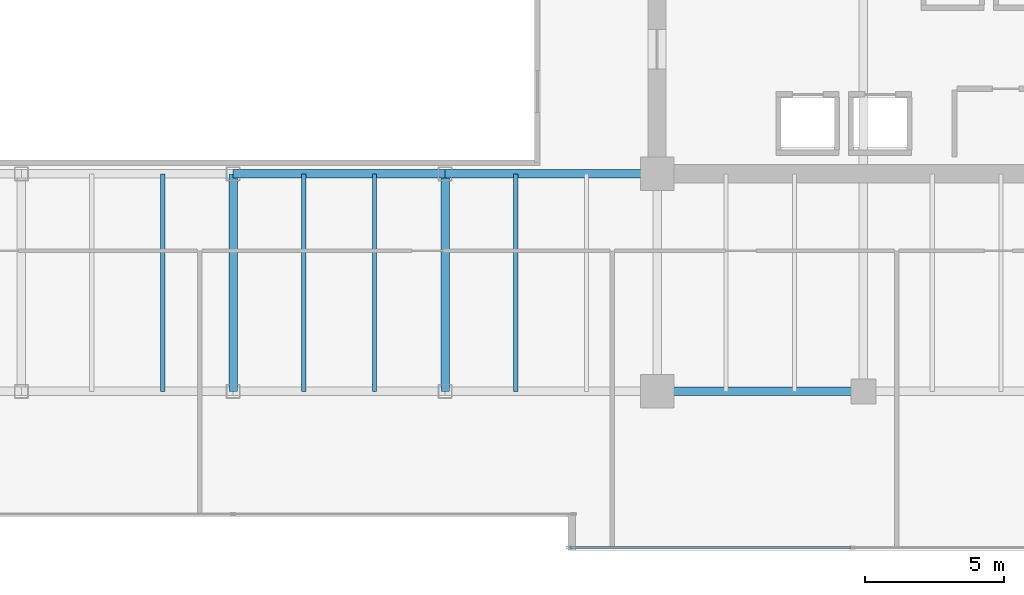
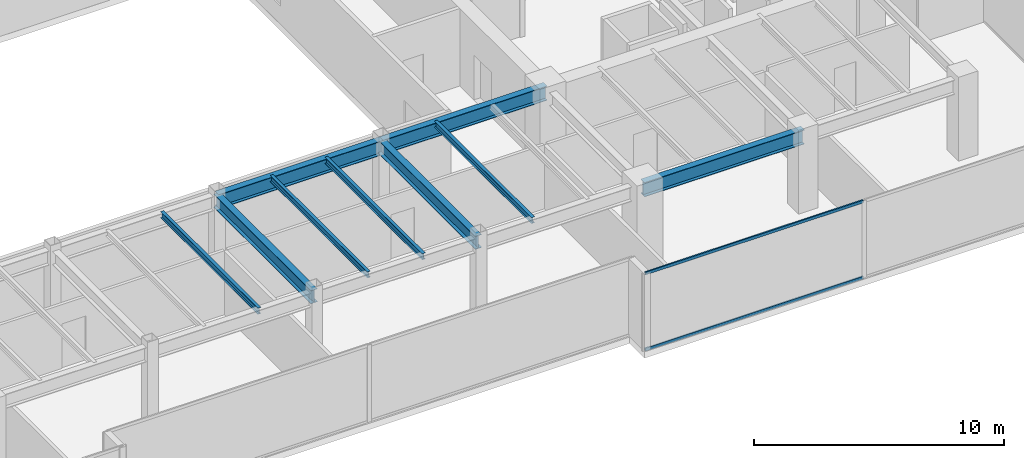
# One storey, part 11 of 30: 9 beams, 2 members, 1 element without a shape of its own.
"""IFC4 building model written with IfcOpenShell, lengths in metres."""

import ifcopenshell
import ifcopenshell.guid

model = None  # the IFC model being written
_history = None  # IfcOwnerHistory: only IFC2X3 demands one
_inside = {}  # id of a spatial element -> (the spatial element, [elements in it])
_under = {}  # id of a project, library or spatial element -> (it, [spatial elements below it])
_declared = {}  # id of a project -> (the project, [libraries it declares])
_typed = {}  # id of a type object -> (the type object, [elements of that type])
_made_of = {}  # id of a material, layer set ... -> (it, [elements and type objects made of it])


def new_model(schema):
    """Start an empty IFC model of exactly this schema.

    Asked for "IFC4X3", IfcOpenShell would pick the latest addendum, in which some entities
    have other attributes; the version numbers below select the first issue.
    IFC2X3 requires an IfcOwnerHistory on every rooted entity: one is made here for all.
    """
    global model, _history
    if schema == "IFC4X3":
        model = ifcopenshell.file(schema_version=(4, 3, 0, 0))
    else:
        model = ifcopenshell.file(schema=schema)
    _inside.clear()
    _under.clear()
    _declared.clear()
    _typed.clear()
    _made_of.clear()
    _history = None
    if model.schema == "IFC2X3":
        org = make("IfcOrganization", Name="unknown")
        user = make(
            "IfcPersonAndOrganization",
            ThePerson=make("IfcPerson", FamilyName="unknown"),
            TheOrganization=org,
        )
        app = make(
            "IfcApplication",
            ApplicationDeveloper=org,
            Version="unknown",
            ApplicationFullName="unknown",
            ApplicationIdentifier="unknown",
        )
        _history = make(
            "IfcOwnerHistory",
            OwningUser=user,
            OwningApplication=app,
            ChangeAction="ADDED",
            CreationDate=0,
        )
    return model


def make(cls, **values):
    """One entity of the class cls with the attributes given. An attribute that is None is left unset."""
    return model.create_entity(
        cls, **{name: value for name, value in values.items() if value is not None}
    )


def rooted(cls, **values):
    """An entity with a GlobalId (a new one), such as an element, a storey or a relation."""
    return make(cls, GlobalId=ifcopenshell.guid.new(), OwnerHistory=_history, **values)


def si_unit(unit_type, name, prefix=None):
    """IfcSIUnit, for example si_unit("LENGTHUNIT", "METRE", prefix="MILLI")."""
    return make("IfcSIUnit", UnitType=unit_type, Prefix=prefix, Name=name)


def assignment(units):
    """IfcUnitAssignment: the units of a project."""
    return None if units is None else make("IfcUnitAssignment", Units=units)


def point(xyz):
    """IfcCartesianPoint."""
    return None if xyz is None else make("IfcCartesianPoint", Coordinates=xyz)


def direction(xyz):
    """IfcDirection."""
    return None if xyz is None else make("IfcDirection", DirectionRatios=xyz)


def frame(location, z_axis=None, x_axis=None):
    """IfcAxis2Placement3D, a coordinate frame: its origin and axes. An axis left out is left unset."""
    return make(
        "IfcAxis2Placement3D",
        Location=point(location),
        Axis=direction(z_axis),
        RefDirection=direction(x_axis),
    )


def frame_2d(location, x_axis=None):
    """IfcAxis2Placement2D, a coordinate frame in the plane: its origin and x axis."""
    return make(
        "IfcAxis2Placement2D", Location=point(location), RefDirection=direction(x_axis)
    )


def origin():
    """The frame at (0, 0, 0) with its axes left unset."""
    return frame((0.0, 0.0, 0.0))


def origin_2d():
    """The frame at (0, 0) in the plane with its x axis left unset."""
    return frame_2d((0.0, 0.0))


def place(relative_to, where):
    """IfcLocalPlacement: puts the frame where relative to a parent placement (None: the world)."""
    return make(
        "IfcLocalPlacement", PlacementRelTo=relative_to, RelativePlacement=where
    )


def context(
    kind, dimensions, precision=None, world=None, true_north=None, identifier=None
):
    """IfcGeometricRepresentationContext, for example the 3D "Model" context."""
    return make(
        "IfcGeometricRepresentationContext",
        ContextIdentifier=identifier,
        ContextType=kind,
        CoordinateSpaceDimension=dimensions,
        Precision=precision,
        WorldCoordinateSystem=world,
        TrueNorth=true_north,
    )


def subcontext(parent, identifier, kind, view, scale=None):
    """IfcGeometricRepresentationSubContext, for example "Body" below "Model"."""
    return make(
        "IfcGeometricRepresentationSubContext",
        ContextIdentifier=identifier,
        ContextType=kind,
        ParentContext=parent,
        TargetScale=scale,
        TargetView=view,
    )


def project(units=None, contexts=None):
    """IfcProject with its units and contexts."""
    return rooted(
        "IfcProject",
        Name="project",
        RepresentationContexts=contexts,
        UnitsInContext=assignment(units),
    )


def spatial(cls, under=None, at=None, **own):
    """A site, building, storey or space (cls), placed at a placement, below another one or the project."""
    s = rooted(cls, ObjectPlacement=at, **own)
    if under is not None:
        _under.setdefault(under.id(), (under, []))[1].append(s)
    return s


def profile(cls, at=None, kind="AREA", **sizes):
    """A parametric profile (cls). Its sizes go by their IFC names, for example OverallWidth=200.0."""
    return make(cls, ProfileType=kind, Position=at, **sizes)


def hollow_rectangle(**sizes):
    """IfcRectangleHollowProfileDef."""
    return profile("IfcRectangleHollowProfileDef", **sizes)


def i_section(**sizes):
    """IfcIShapeProfileDef."""
    return profile("IfcIShapeProfileDef", **sizes)


def extrude(swept, where, along, depth):
    """IfcExtrudedAreaSolid: the profile swept, set in the frame where, extruded along a direction by depth."""
    return make(
        "IfcExtrudedAreaSolid",
        SweptArea=swept,
        Position=where,
        ExtrudedDirection=direction(along),
        Depth=depth,
    )


def shape(context_of_items, identifier, shape_type, items):
    """IfcShapeRepresentation: the items that make up one representation, for example the "Body"."""
    return make(
        "IfcShapeRepresentation",
        ContextOfItems=context_of_items,
        RepresentationIdentifier=identifier,
        RepresentationType=shape_type,
        Items=items,
    )


def source(mapping_origin, context_of_items, identifier, shape_type, items):
    """IfcRepresentationMap: a shape defined once, which mapped items show again and again."""
    return make(
        "IfcRepresentationMap",
        MappingOrigin=mapping_origin,
        MappedRepresentation=shape(context_of_items, identifier, shape_type, items),
    )


def transform(
    local_origin,
    x_axis=None,
    y_axis=None,
    z_axis=None,
    scale=None,
    scale2=None,
    scale3=None,
    uniform=True,
):
    """IfcCartesianTransformationOperator3D, or its non-uniform kind. x_axis, y_axis, z_axis: its Axis1, 2, 3."""
    if uniform:
        return make(
            "IfcCartesianTransformationOperator3D",
            Axis1=direction(x_axis),
            Axis2=direction(y_axis),
            LocalOrigin=point(local_origin),
            Scale=scale,
            Axis3=direction(z_axis),
        )
    return make(
        "IfcCartesianTransformationOperator3DnonUniform",
        Axis1=direction(x_axis),
        Axis2=direction(y_axis),
        LocalOrigin=point(local_origin),
        Scale=scale,
        Axis3=direction(z_axis),
        Scale2=scale2,
        Scale3=scale3,
    )


def mapped(mapping_source, mapping_target):
    """IfcMappedItem: shows the shape of a source again, moved by a transform."""
    return make(
        "IfcMappedItem", MappingSource=mapping_source, MappingTarget=mapping_target
    )


def material(Name=None, Category=None):
    """IfcMaterial."""
    return make("IfcMaterial", Name=Name, Category=Category)


def layer(
    of_material, thickness, ventilated=None, Name=None, Category=None, Priority=None
):
    """IfcMaterialLayer: one layer of a wall or slab, of a material (None: an air gap)."""
    return make(
        "IfcMaterialLayer",
        Material=of_material,
        LayerThickness=thickness,
        IsVentilated=ventilated,
        Name=Name,
        Category=Category,
        Priority=Priority,
    )


def layer_set(layers, Name=None):
    """IfcMaterialLayerSet."""
    return make("IfcMaterialLayerSet", MaterialLayers=layers, LayerSetName=Name)


def material_profile(
    of_material, cross_section, Name=None, Category=None, Priority=None
):
    """IfcMaterialProfile: a cross section and its material."""
    return make(
        "IfcMaterialProfile",
        Name=Name,
        Material=of_material,
        Profile=cross_section,
        Priority=Priority,
        Category=Category,
    )


def profile_set(profiles, Name=None, composite=None):
    """IfcMaterialProfileSet."""
    return make(
        "IfcMaterialProfileSet",
        Name=Name,
        MaterialProfiles=profiles,
        CompositeProfile=composite,
    )


def made_of(thing, what):
    """Note that an element or type object is made of a material, layer set ...; save() writes the relation."""
    if what is not None:
        _made_of.setdefault(what.id(), (what, []))[1].append(thing)
    return thing


def type_object(cls, material=None, **own):
    """A type object (cls), such as IfcWallType, which elements share."""
    return made_of(rooted(cls, **own), material)


def type_shapes(of_type, sources):
    """Give a type object the sources (RepresentationMaps) that its elements show as mapped items."""
    of_type.RepresentationMaps = sources


def element(
    cls,
    number,
    at=None,
    inside=None,
    cuts=None,
    type_object=None,
    material=None,
    context=None,
    identifier="Body",
    shape_type=None,
    held_by="IfcProductDefinitionShape",
    body=None,
    shapes=None,
    **own,
):
    """One element of the class cls, such as IfcWall. Its Tag is "e" and its number.

    at: its placement. inside: the storey or other place that contains it. cuts: it is an
    opening in that element (IfcRelVoidsElement). A single representation is given by context,
    identifier, shape_type and body (its items); several are given by shapes. held_by: the class
    of the entity that holds the representations. save() writes the other relations.
    """
    e = rooted(cls, Tag="e%d" % number, ObjectPlacement=at, **own)
    if body is not None:
        shapes = [shape(context, identifier, shape_type, body)]
    if shapes is not None:
        e.Representation = make(held_by, Representations=shapes)
    if inside is not None:
        _inside.setdefault(inside.id(), (inside, []))[1].append(e)
    if cuts is not None:
        rooted(
            "IfcRelVoidsElement", RelatingBuildingElement=cuts, RelatedOpeningElement=e
        )
    if type_object is not None:
        _typed.setdefault(type_object.id(), (type_object, []))[1].append(e)
    return made_of(e, material)


def aggregate(whole, parts):
    """IfcRelAggregates: a whole, such as a stair, and the parts it consists of."""
    return rooted("IfcRelAggregates", RelatingObject=whole, RelatedObjects=parts)


def save(model, path):
    """Write the relations noted so far, then the file.

    IfcRelAggregates (storeys below a building ...), IfcRelContainedInSpatialStructure (elements
    in a storey), IfcRelDefinesByType, IfcRelAssociatesMaterial and IfcRelDeclares: one each for
    every whole, place, type object, material and project.
    """
    for whole, parts in _under.values():
        aggregate(whole, parts)
    for where, things in _inside.values():
        rooted(
            "IfcRelContainedInSpatialStructure",
            RelatedElements=things,
            RelatingStructure=where,
        )
    for kind, things in _typed.values():
        rooted("IfcRelDefinesByType", RelatedObjects=things, RelatingType=kind)
    for what, things in _made_of.values():
        rooted("IfcRelAssociatesMaterial", RelatedObjects=things, RelatingMaterial=what)
    for by, libraries in _declared.values():
        rooted("IfcRelDeclares", RelatingContext=by, RelatedDefinitions=libraries)
    model.write(path)


model = new_model("IFC4")

# Units and contexts
model_context = context("Model", 3, precision=1e-05, world=origin(), true_north=direction((0.0, 1.0)))
body_context = subcontext(model_context, "Body", "Model", "MODEL_VIEW")
ifc_project = project(units=[si_unit("LENGTHUNIT", "METRE"), si_unit("AREAUNIT", "SQUARE_METRE"), si_unit("VOLUMEUNIT", "CUBIC_METRE"), si_unit("PLANEANGLEUNIT", "RADIAN"), si_unit("MASSUNIT", "GRAM", prefix="KILO")], contexts=[model_context])

# Site, building, storey
site_placement = place(None, origin())
site = spatial("IfcSite", under=ifc_project, at=site_placement, CompositionType="ELEMENT")
building_placement = place(site_placement, origin())
building = spatial("IfcBuilding", under=site, at=building_placement, Name="Haelvirn Gate Laboratories", CompositionType="ELEMENT")
storey_placement = place(building_placement, frame((0.0, 0.0, 125.60009765625)))
storey = spatial("IfcBuildingStorey", under=building, at=storey_placement, Name="L30", CompositionType="ELEMENT", Elevation=125.60009765625)

# Beams
ifc_material_1 = material(Name="Steel SM355", Category="steel")
ifc_material_profile_1 = material_profile(ifc_material_1, i_section(OverallWidth=0.300048828125, OverallDepth=0.64990234375, WebThickness=0.012939453125, FlangeThickness=0.02197265625, at=origin_2d()), Name="H-650x300x13x22")
ifc_profile_set_1 = profile_set([ifc_material_profile_1], Name="Steel SM355")
beam_type_1 = type_object("IfcBeamType", Name="BM-G-650", PredefinedType="BEAM", material=ifc_profile_set_1)
shared_shape_1 = source(origin(), body_context, "Body", "SweptSolid", [
    extrude(i_section(OverallWidth=0.300048828125, OverallDepth=0.64990234375, WebThickness=0.012939453125, FlangeThickness=0.02197265625, at=origin_2d()), origin(), (0.0, 0.0, 1.0), 7.800048828125),
])
type_shapes(beam_type_1, [shared_shape_1])
for number, where, z_axis, x_axis, name in (
    (1, (37.39990234375, 7.0, 3.46484375), (0.0, 1.0, 0.0), (-1.0, 0.0, 0.0), "L30 Frame Girder X37.4 (7.0-14.8)"),
    (2, (45.0, 7.0, 3.46484375), (0.0, 1.0, 0.0), (-1.0, 0.0, 0.0), "L30 Frame Girder X45.0 (7.0-14.8)"),
):
    element("IfcBeam", number, at=place(storey_placement, frame(where, z_axis=z_axis, x_axis=x_axis)), inside=storey, type_object=beam_type_1, Name=name, PredefinedType="BEAM", context=body_context, shape_type="MappedRepresentation", body=[
        mapped(shared_shape_1, transform((0.0, 0.0, 0.0), scale=1.0)),
    ])
ifc_material_profile_2 = material_profile(ifc_material_1, i_section(OverallWidth=0.300048828125, OverallDepth=0.699951171875, WebThickness=0.012939453125, FlangeThickness=0.02392578125, at=origin_2d()), Name="H-700x300x13x24")
ifc_profile_set_2 = profile_set([ifc_material_profile_2], Name="Steel SM355")
beam_type_2 = type_object("IfcBeamType", Name="BM-G-700", PredefinedType="BEAM", material=ifc_profile_set_2)
shared_shape_2 = source(origin(), body_context, "Body", "SweptSolid", [
    extrude(i_section(OverallWidth=0.300048828125, OverallDepth=0.699951171875, WebThickness=0.012939453125, FlangeThickness=0.02392578125, at=origin_2d()), origin(), (0.0, 0.0, 1.0), 7.39990234375),
])
beam_placement = place(storey_placement, frame((52.60009765625, 7.0, 3.43994140625), z_axis=(1.0, 0.0, 0.0), x_axis=(0.0, 1.0, 0.0)))
element("IfcBeam", 3, at=beam_placement, inside=storey, type_object=beam_type_2, Name="L30 Primary Girder Y7.0 (52.6-60.0)", PredefinedType="BEAM", context=body_context, shape_type="MappedRepresentation", body=[
    mapped(shared_shape_2, transform((0.0, 0.0, 0.0), scale=1.0)),
])
shared_shape_3 = source(origin(), body_context, "Body", "SweptSolid", [
    extrude(i_section(OverallWidth=0.300048828125, OverallDepth=0.699951171875, WebThickness=0.012939453125, FlangeThickness=0.02392578125, at=origin_2d()), origin(), (0.0, 0.0, 1.0), 7.60009765625),
])
type_shapes(beam_type_2, [shared_shape_2, shared_shape_3])
for number, where, z_axis, x_axis, name in (
    (4, (37.39990234375, 14.800048828125, 3.43994140625), (1.0, 0.0, 0.0), (0.0, 1.0, 0.0), "L30 Primary Girder Y14.8 (37.4-45.0)"),
    (5, (45.0, 14.800048828125, 3.43994140625), (1.0, 0.0, 0.0), (0.0, 1.0, 0.0), "L30 Primary Girder Y14.8 (45.0-52.6)"),
):
    element("IfcBeam", number, at=place(storey_placement, frame(where, z_axis=z_axis, x_axis=x_axis)), inside=storey, type_object=beam_type_2, Name=name, PredefinedType="BEAM", context=body_context, shape_type="MappedRepresentation", body=[
        mapped(shared_shape_3, transform((0.0, 0.0, 0.0), scale=1.0)),
    ])
ifc_material_profile_3 = material_profile(ifc_material_1, i_section(OverallWidth=0.14990234375, OverallDepth=0.300048828125, WebThickness=0.006591796875, FlangeThickness=0.009033203125, at=origin_2d()), Name="H-300x150x6.5x9")
ifc_profile_set_3 = profile_set([ifc_material_profile_3], Name="Steel SM355")
beam_type_3 = type_object("IfcBeamType", Name="BM-J-300", PredefinedType="JOIST", material=ifc_profile_set_3)
shared_shape_4 = source(origin(), body_context, "Body", "SweptSolid", [
    extrude(i_section(OverallWidth=0.14990234375, OverallDepth=0.300048828125, WebThickness=0.006591796875, FlangeThickness=0.009033203125, at=origin_2d()), origin(), (0.0, 0.0, 1.0), 7.800048828125),
])
type_shapes(beam_type_3, [shared_shape_4])
for number, where, z_axis, x_axis, name in (
    (6, (34.8701171875, 7.0, 3.639892578125), (0.0, 1.0, 0.0), (-1.0, 0.0, 0.0), "L30 Composite Lab Joist South X34.87"),
    (7, (39.929931640625, 7.0, 3.639892578125), (0.0, 1.0, 0.0), (-1.0, 0.0, 0.0), "L30 Composite Lab Joist South X39.93"),
    (8, (42.469970703125, 7.0, 3.639892578125), (0.0, 1.0, 0.0), (-1.0, 0.0, 0.0), "L30 Composite Lab Joist South X42.47"),
    (9, (47.530029296875, 7.0, 3.639892578125), (0.0, 1.0, 0.0), (-1.0, 0.0, 0.0), "L30 Composite Lab Joist South X47.53"),
):
    element("IfcBeam", number, at=place(storey_placement, frame(where, z_axis=z_axis, x_axis=x_axis)), inside=storey, type_object=beam_type_3, Name=name, PredefinedType="JOIST", context=body_context, shape_type="MappedRepresentation", body=[
        mapped(shared_shape_4, transform((0.0, 0.0, 0.0), scale=1.0)),
    ])

# Curtain wall, members
ifc_material_2 = material(Name="Anodised bronze unitised aluminium & triple low-E glass", Category="aluminium")
ifc_layer = layer(ifc_material_2, 0.179931640625, Name="CW-SYS-3")
ifc_layer_set = layer_set([ifc_layer], Name="Anodised bronze unitised aluminium & triple low-E glass")
curtain_wall_type = type_object("IfcCurtainWallType", Name="CW-SYS-3", PredefinedType="NOTDEFINED", material=ifc_layer_set)
curtain_wall_placement = place(storey_placement, origin())
curtain_wall = element("IfcCurtainWall", 10, at=curtain_wall_placement, inside=storey, type_object=curtain_wall_type, Name="L30 Unitised Curtain Wall CW-L30-P0-E04-1", PredefinedType="NOTDEFINED")
ifc_material_3 = material(Name="Extruded aluminium 6063-T6 (anodised bronze)", Category="aluminium")
ifc_material_profile_4 = material_profile(ifc_material_3, hollow_rectangle(XDim=0.06494140625, YDim=0.139892578125, WallThickness=0.00390625, at=origin_2d()), Name="CWT-140x65x4")
ifc_profile_set_4 = profile_set([ifc_material_profile_4], Name="Extruded aluminium 6063-T6 (anodised bronze)")
member_type = type_object("IfcMemberType", Name="CWT-T140", PredefinedType="USERDEFINED", material=ifc_profile_set_4)
shared_shape_5 = source(origin(), body_context, "Body", "SweptSolid", [
    extrude(hollow_rectangle(XDim=0.06494140625, YDim=0.139892578125, WallThickness=0.00390625, at=origin_2d()), origin(), (0.0, 0.0, 1.0), 10.08740234375),
])
type_shapes(member_type, [shared_shape_5])
member_1_placement = place(storey_placement, frame((49.47509765625, 1.39990234375, 0.032470703125), z_axis=(1.0, 0.0, 0.0), x_axis=(0.0, 1.0, 0.0)))
member_1 = element("IfcMember", 11, at=member_1_placement, type_object=member_type, Name="CW3 transom 1.1", ObjectType="TRANSOM", PredefinedType="USERDEFINED", context=body_context, shape_type="MappedRepresentation", body=[
    mapped(shared_shape_5, transform((0.0, 0.0, 0.0), scale=1.0)),
])
member_2_placement = place(storey_placement, frame((49.47509765625, 1.39990234375, 3.75732421875), z_axis=(1.0, 0.0, 0.0), x_axis=(0.0, 1.0, 0.0)))
member_2 = element("IfcMember", 12, at=member_2_placement, type_object=member_type, Name="CW3 transom 1.2", ObjectType="TRANSOM", PredefinedType="USERDEFINED", context=body_context, shape_type="MappedRepresentation", body=[
    mapped(shared_shape_5, transform((0.0, 0.0, 0.0), scale=1.0)),
])
aggregate(curtain_wall, [member_1, member_2])

save(model, "model.ifc")
